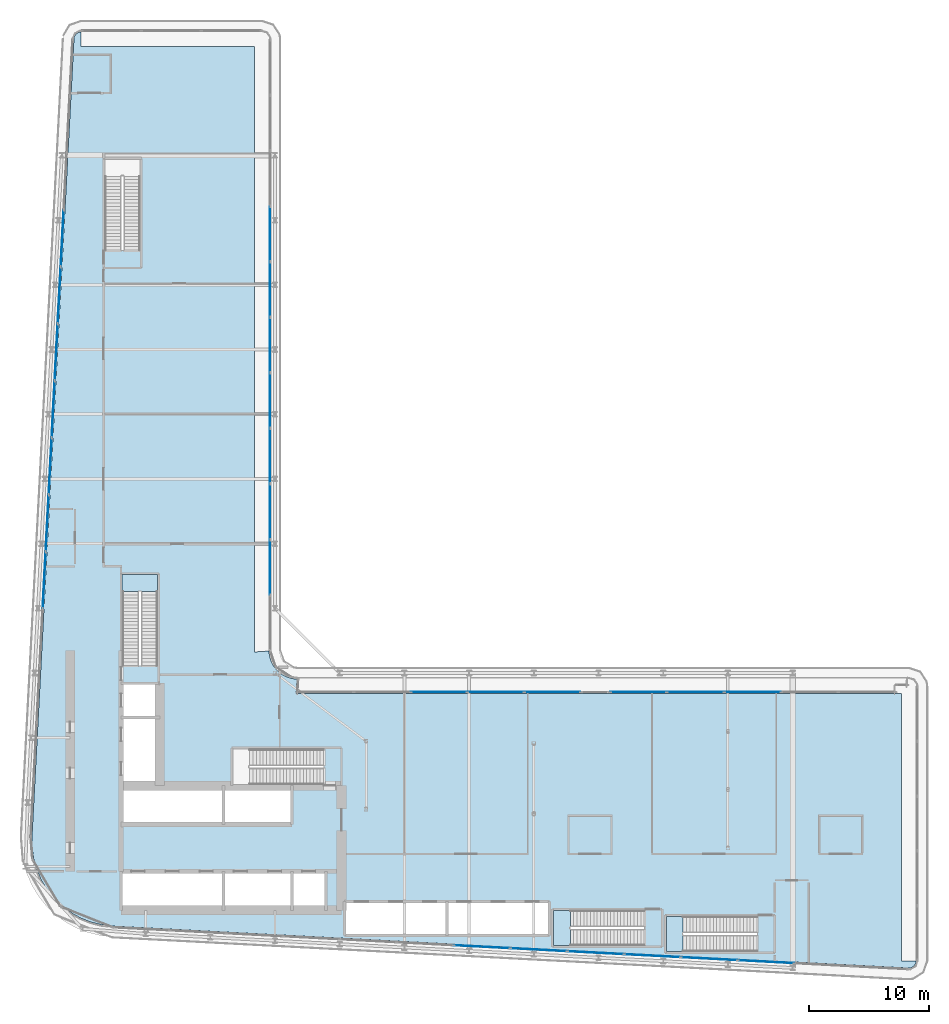
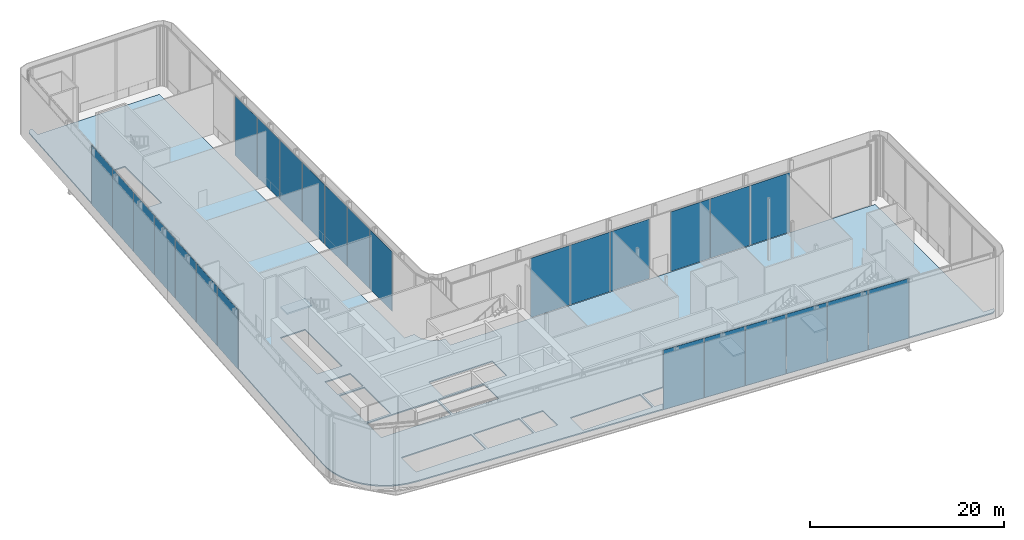
# One storey, part 23 of 37: 26 plates, 4 slabs, 8 elements without a shape of their own.
"""IFC4 building model written with IfcOpenShell, lengths in metres."""

from ifc_helpers import new_model, si_unit, direction, frame, origin, origin_2d, place, context, subcontext, project, spatial, polyline, rectangle, outline, extrude, material, layer, layer_set, type_object, element, aggregate, save


model = new_model("IFC4")

# Units and contexts
model_context = context("Model", 3, precision=1e-05, world=origin(), true_north=direction((0.0, 1.0)))
body_context = subcontext(model_context, "Body", "Model", "MODEL_VIEW")
ifc_project = project(units=[si_unit("LENGTHUNIT", "METRE"), si_unit("AREAUNIT", "SQUARE_METRE"), si_unit("VOLUMEUNIT", "CUBIC_METRE"), si_unit("PLANEANGLEUNIT", "RADIAN"), si_unit("MASSUNIT", "GRAM", prefix="KILO")], contexts=[model_context])

# Site, building, storey
site_placement = place(None, origin())
site = spatial("IfcSite", under=ifc_project, at=site_placement, CompositionType="ELEMENT")
building_placement = place(site_placement, origin())
building = spatial("IfcBuilding", under=site, at=building_placement, Name="Kheshtan School and Residences Tower", CompositionType="ELEMENT")
storey_placement = place(building_placement, frame((0.0, 0.0, 144.800048828125)))
storey = spatial("IfcBuildingStorey", under=building, at=storey_placement, Name="L34", CompositionType="ELEMENT", Elevation=144.800048828125)

# Curtain wall, plates
ifc_material_1 = material(Name="Clear low-e glass in thermally broken aluminium frame", Category="aluminium")
ifc_layer_1 = layer(ifc_material_1, 0.25)
ifc_layer_set_1 = layer_set([ifc_layer_1], Name="Curtain wall CW-G")
curtain_wall_type_1 = type_object("IfcCurtainWallType", Name="Curtain wall CW-G", PredefinedType="NOTDEFINED", material=ifc_layer_set_1)
curtain_wall_1_placement = place(storey_placement, origin())
curtain_wall_1 = element("IfcCurtainWall", 1, at=curtain_wall_1_placement, inside=storey, type_object=curtain_wall_type_1, Name="Curtain wall CWG5", PredefinedType="NOTDEFINED")
ifc_layer_2 = layer(ifc_material_1, 0.0380859375)
ifc_layer_set_2 = layer_set([ifc_layer_2], Name="CW-G glass panel")
plate_type_1 = type_object("IfcPlateType", Name="CW-G glass panel", PredefinedType="CURTAIN_PANEL", material=ifc_layer_set_2)
plate_1_placement = place(storey_placement, frame((61.280029296875, 44.0, 0.0), z_axis=(0.0, 0.0, 1.0), x_axis=(1.0, 0.0, 0.0)))
plate_1 = element("IfcPlate", 2, at=plate_1_placement, type_object=plate_type_1, Name="CWG5 panel 3.1", PredefinedType="CURTAIN_PANEL", context=body_context, shape_type="SweptSolid", body=[
    extrude(rectangle(XDim=4.679931640625, YDim=0.0380859375, at=origin_2d()), origin(), (0.0, 0.0, 1.0), 7.489990234375),
])
plate_2_placement = place(storey_placement, frame((66.02001953125, 44.0, 0.0), z_axis=(0.0, 0.0, 1.0), x_axis=(1.0, 0.0, 0.0)))
plate_2 = element("IfcPlate", 3, at=plate_2_placement, type_object=plate_type_1, Name="CWG5 panel 4.1", PredefinedType="CURTAIN_PANEL", context=body_context, shape_type="SweptSolid", body=[
    extrude(rectangle(XDim=4.679931640625, YDim=0.0380859375, at=origin_2d()), origin(), (0.0, 0.0, 1.0), 7.489990234375),
])
plate_3_placement = place(storey_placement, frame((70.7451171875, 44.0, 0.0), z_axis=(0.0, 0.0, 1.0), x_axis=(1.0, 0.0, 0.0)))
plate_3 = element("IfcPlate", 4, at=plate_3_placement, type_object=plate_type_1, Name="CWG5 panel 5.1", PredefinedType="CURTAIN_PANEL", context=body_context, shape_type="SweptSolid", body=[
    extrude(rectangle(XDim=4.64990234375, YDim=0.0380859375, at=origin_2d()), origin(), (0.0, 0.0, 1.0), 7.489990234375),
])
aggregate(curtain_wall_1, [plate_1, plate_2, plate_3])

curtain_wall_2_placement = place(storey_placement, origin())
curtain_wall_2 = element("IfcCurtainWall", 5, at=curtain_wall_2_placement, inside=storey, type_object=curtain_wall_type_1, Name="Curtain wall CWG5a", PredefinedType="NOTDEFINED")
plate_4_placement = place(storey_placement, frame((77.931884765625, 44.0, 0.0), z_axis=(0.0, 0.0, 1.0), x_axis=(1.0, 0.0, 0.0)))
plate_4 = element("IfcPlate", 6, at=plate_4_placement, type_object=plate_type_1, Name="CWG5a panel 1.1", PredefinedType="CURTAIN_PANEL", context=body_context, shape_type="SweptSolid", body=[
    extrude(rectangle(XDim=4.68408203125, YDim=0.0380859375, at=origin_2d()), origin(), (0.0, 0.0, 1.0), 7.489990234375),
])
plate_5_placement = place(storey_placement, frame((82.69091796875, 44.0, 0.0), z_axis=(0.0, 0.0, 1.0), x_axis=(1.0, 0.0, 0.0)))
plate_5 = element("IfcPlate", 7, at=plate_5_placement, type_object=plate_type_1, Name="CWG5a panel 2.1", PredefinedType="CURTAIN_PANEL", context=body_context, shape_type="SweptSolid", body=[
    extrude(rectangle(XDim=4.714111328125, YDim=0.0380859375, at=origin_2d()), origin(), (0.0, 0.0, 1.0), 7.489990234375),
])
plate_6_placement = place(storey_placement, frame((87.465087890625, 44.0, 0.0), z_axis=(0.0, 0.0, 1.0), x_axis=(1.0, 0.0, 0.0)))
plate_6 = element("IfcPlate", 8, at=plate_6_placement, type_object=plate_type_1, Name="CWG5a panel 3.1", PredefinedType="CURTAIN_PANEL", context=body_context, shape_type="SweptSolid", body=[
    extrude(rectangle(XDim=4.714111328125, YDim=0.0380859375, at=origin_2d()), origin(), (0.0, 0.0, 1.0), 7.489990234375),
])
aggregate(curtain_wall_2, [plate_4, plate_5, plate_6])

ifc_layer_3 = layer(ifc_material_1, 0.25)
ifc_layer_set_3 = layer_set([ifc_layer_3], Name="Curtain wall CW-K")
curtain_wall_type_2 = type_object("IfcCurtainWallType", Name="Curtain wall CW-K", PredefinedType="NOTDEFINED", material=ifc_layer_set_3)
curtain_wall_3_placement = place(storey_placement, origin())
curtain_wall_3 = element("IfcCurtainWall", 9, at=curtain_wall_3_placement, inside=storey, type_object=curtain_wall_type_2, Name="Curtain wall CWK14", PredefinedType="NOTDEFINED")
ifc_layer_4 = layer(ifc_material_1, 0.0380859375)
ifc_layer_set_4 = layer_set([ifc_layer_4], Name="CW-K glass panel")
plate_type_2 = type_object("IfcPlateType", Name="CW-K glass panel", PredefinedType="CURTAIN_PANEL", material=ifc_layer_set_4)
plate_7_placement = place(storey_placement, frame((88.58056640625, 21.507080078125, 0.0), z_axis=(0.0, 0.0, 1.0), x_axis=(-0.998617247391, 0.052569888839, 0.0)))
plate_7 = element("IfcPlate", 10, at=plate_7_placement, type_object=plate_type_2, Name="CWK14 panel 3.1", PredefinedType="CURTAIN_PANEL", context=body_context, shape_type="SweptSolid", body=[
    extrude(rectangle(XDim=4.6875, YDim=0.0380859375, at=origin_2d()), origin(), (0.0, 0.0, 1.0), 7.489990234375),
])
plate_8_placement = place(storey_placement, frame((83.83984375, 21.756591796875, 0.0), z_axis=(0.0, 0.0, 1.0), x_axis=(-0.998617247391, 0.052569888839, 0.0)))
plate_8 = element("IfcPlate", 11, at=plate_8_placement, type_object=plate_type_2, Name="CWK14 panel 4.1", PredefinedType="CURTAIN_PANEL", context=body_context, shape_type="SweptSolid", body=[
    extrude(rectangle(XDim=4.6875, YDim=0.0380859375, at=origin_2d()), origin(), (0.0, 0.0, 1.0), 7.489990234375),
])
plate_9_placement = place(storey_placement, frame((79.098876953125, 22.006103515625, 0.0), z_axis=(0.0, 0.0, 1.0), x_axis=(-0.998617247391, 0.052569888839, 0.0)))
plate_9 = element("IfcPlate", 12, at=plate_9_placement, type_object=plate_type_2, Name="CWK14 panel 5.1", PredefinedType="CURTAIN_PANEL", context=body_context, shape_type="SweptSolid", body=[
    extrude(rectangle(XDim=4.6875, YDim=0.0380859375, at=origin_2d()), origin(), (0.0, 0.0, 1.0), 7.489990234375),
])
plate_10_placement = place(storey_placement, frame((74.35791015625, 22.255859375, 0.0), z_axis=(0.0, 0.0, 1.0), x_axis=(-0.998617247391, 0.052569888839, 0.0)))
plate_10 = element("IfcPlate", 13, at=plate_10_placement, type_object=plate_type_2, Name="CWK14 panel 6.1", PredefinedType="CURTAIN_PANEL", context=body_context, shape_type="SweptSolid", body=[
    extrude(rectangle(XDim=4.6875, YDim=0.0380859375, at=origin_2d()), origin(), (0.0, 0.0, 1.0), 7.489990234375),
])
plate_11_placement = place(storey_placement, frame((69.6171875, 22.50537109375, 0.0), z_axis=(0.0, 0.0, 1.0), x_axis=(-0.998617247391, 0.052569888839, 0.0)))
plate_11 = element("IfcPlate", 14, at=plate_11_placement, type_object=plate_type_2, Name="CWK14 panel 7.1", PredefinedType="CURTAIN_PANEL", context=body_context, shape_type="SweptSolid", body=[
    extrude(rectangle(XDim=4.6875, YDim=0.0380859375, at=origin_2d()), origin(), (0.0, 0.0, 1.0), 7.489990234375),
])
plate_12_placement = place(storey_placement, frame((64.876220703125, 22.7548828125, 0.0), z_axis=(0.0, 0.0, 1.0), x_axis=(-0.998617247391, 0.052569888839, 0.0)))
plate_12 = element("IfcPlate", 15, at=plate_12_placement, type_object=plate_type_2, Name="CWK14 panel 8.1", PredefinedType="CURTAIN_PANEL", context=body_context, shape_type="SweptSolid", body=[
    extrude(rectangle(XDim=4.6875, YDim=0.0380859375, at=origin_2d()), origin(), (0.0, 0.0, 1.0), 7.489990234375),
])
aggregate(curtain_wall_3, [plate_7, plate_8, plate_9, plate_10, plate_11, plate_12])

curtain_wall_4_placement = place(storey_placement, origin())
curtain_wall_4 = element("IfcCurtainWall", 16, at=curtain_wall_4_placement, inside=storey, type_object=curtain_wall_type_2, Name="Curtain wall CWK18", PredefinedType="NOTDEFINED")
plate_13_placement = place(storey_placement, frame((28.345703125, 53.36083984375, 0.0), z_axis=(0.0, 0.0, 1.0), x_axis=(0.05256513568, 0.998617497599, 0.0)))
plate_13 = element("IfcPlate", 17, at=plate_13_placement, type_object=plate_type_2, Name="CWK18 panel 5.1", PredefinedType="CURTAIN_PANEL", context=body_context, shape_type="SweptSolid", body=[
    extrude(rectangle(XDim=4.69873046875, YDim=0.0380859375, at=origin_2d()), origin(), (0.0, 0.0, 1.0), 7.489990234375),
])
plate_14_placement = place(storey_placement, frame((28.595947265625, 58.113037109375, 0.0), z_axis=(0.0, 0.0, 1.0), x_axis=(0.05256513568, 0.998617497599, 0.0)))
plate_14 = element("IfcPlate", 18, at=plate_14_placement, type_object=plate_type_2, Name="CWK18 panel 6.1", PredefinedType="CURTAIN_PANEL", context=body_context, shape_type="SweptSolid", body=[
    extrude(rectangle(XDim=4.69873046875, YDim=0.0380859375, at=origin_2d()), origin(), (0.0, 0.0, 1.0), 7.489990234375),
])
plate_15_placement = place(storey_placement, frame((28.845947265625, 62.865234375, 0.0), z_axis=(0.0, 0.0, 1.0), x_axis=(0.05256513568, 0.998617497599, 0.0)))
plate_15 = element("IfcPlate", 19, at=plate_15_placement, type_object=plate_type_2, Name="CWK18 panel 7.1", PredefinedType="CURTAIN_PANEL", context=body_context, shape_type="SweptSolid", body=[
    extrude(rectangle(XDim=4.69873046875, YDim=0.0380859375, at=origin_2d()), origin(), (0.0, 0.0, 1.0), 7.489990234375),
])
plate_16_placement = place(storey_placement, frame((29.09619140625, 67.617431640625, 0.0), z_axis=(0.0, 0.0, 1.0), x_axis=(0.05256513568, 0.998617497599, 0.0)))
plate_16 = element("IfcPlate", 20, at=plate_16_placement, type_object=plate_type_2, Name="CWK18 panel 8.1", PredefinedType="CURTAIN_PANEL", context=body_context, shape_type="SweptSolid", body=[
    extrude(rectangle(XDim=4.69873046875, YDim=0.0380859375, at=origin_2d()), origin(), (0.0, 0.0, 1.0), 7.489990234375),
])
plate_17_placement = place(storey_placement, frame((29.346435546875, 72.369384765625, 0.0), z_axis=(0.0, 0.0, 1.0), x_axis=(0.05256513568, 0.998617497599, 0.0)))
plate_17 = element("IfcPlate", 21, at=plate_17_placement, type_object=plate_type_2, Name="CWK18 panel 9.1", PredefinedType="CURTAIN_PANEL", context=body_context, shape_type="SweptSolid", body=[
    extrude(rectangle(XDim=4.69873046875, YDim=0.0380859375, at=origin_2d()), origin(), (0.0, 0.0, 1.0), 7.489990234375),
])
plate_18_placement = place(storey_placement, frame((29.596435546875, 77.12158203125, 0.0), z_axis=(0.0, 0.0, 1.0), x_axis=(0.05256513568, 0.998617497599, 0.0)))
plate_18 = element("IfcPlate", 22, at=plate_18_placement, type_object=plate_type_2, Name="CWK18 panel 10.1", PredefinedType="CURTAIN_PANEL", context=body_context, shape_type="SweptSolid", body=[
    extrude(rectangle(XDim=4.69873046875, YDim=0.0380859375, at=origin_2d()), origin(), (0.0, 0.0, 1.0), 7.489990234375),
])
plate_19_placement = place(storey_placement, frame((29.8466796875, 81.873779296875, 0.0), z_axis=(0.0, 0.0, 1.0), x_axis=(0.05256513568, 0.998617497599, 0.0)))
plate_19 = element("IfcPlate", 23, at=plate_19_placement, type_object=plate_type_2, Name="CWK18 panel 11.1", PredefinedType="CURTAIN_PANEL", context=body_context, shape_type="SweptSolid", body=[
    extrude(rectangle(XDim=4.69873046875, YDim=0.0380859375, at=origin_2d()), origin(), (0.0, 0.0, 1.0), 7.489990234375),
])
aggregate(curtain_wall_4, [plate_13, plate_14, plate_15, plate_16, plate_17, plate_18, plate_19])

curtain_wall_5_placement = place(storey_placement, origin())
curtain_wall_5 = element("IfcCurtainWall", 24, at=curtain_wall_5_placement, inside=storey, type_object=curtain_wall_type_2, Name="Curtain wall CWK24", PredefinedType="NOTDEFINED")
plate_20_placement = place(storey_placement, frame((47.199951171875, 82.242431640625, 0.0), z_axis=(0.0, 0.0, 1.0), x_axis=(0.0, -1.0, 0.0)))
plate_20 = element("IfcPlate", 25, at=plate_20_placement, type_object=plate_type_2, Name="CWK24 panel 4.1", PredefinedType="CURTAIN_PANEL", context=body_context, shape_type="SweptSolid", body=[
    extrude(rectangle(XDim=4.576416015625, YDim=0.0380859375, at=origin_2d()), origin(), (0.0, 0.0, 1.0), 7.489990234375),
])
plate_21_placement = place(storey_placement, frame((47.199951171875, 77.60595703125, 0.0), z_axis=(0.0, 0.0, 1.0), x_axis=(0.0, -1.0, 0.0)))
plate_21 = element("IfcPlate", 26, at=plate_21_placement, type_object=plate_type_2, Name="CWK24 panel 5.1", PredefinedType="CURTAIN_PANEL", context=body_context, shape_type="SweptSolid", body=[
    extrude(rectangle(XDim=4.576416015625, YDim=0.0380859375, at=origin_2d()), origin(), (0.0, 0.0, 1.0), 7.489990234375),
])
plate_22_placement = place(storey_placement, frame((47.199951171875, 72.969482421875, 0.0), z_axis=(0.0, 0.0, 1.0), x_axis=(0.0, -1.0, 0.0)))
plate_22 = element("IfcPlate", 27, at=plate_22_placement, type_object=plate_type_2, Name="CWK24 panel 6.1", PredefinedType="CURTAIN_PANEL", context=body_context, shape_type="SweptSolid", body=[
    extrude(rectangle(XDim=4.576416015625, YDim=0.0380859375, at=origin_2d()), origin(), (0.0, 0.0, 1.0), 7.489990234375),
])
plate_23_placement = place(storey_placement, frame((47.199951171875, 68.3330078125, 0.0), z_axis=(0.0, 0.0, 1.0), x_axis=(0.0, -1.0, 0.0)))
plate_23 = element("IfcPlate", 28, at=plate_23_placement, type_object=plate_type_2, Name="CWK24 panel 7.1", PredefinedType="CURTAIN_PANEL", context=body_context, shape_type="SweptSolid", body=[
    extrude(rectangle(XDim=4.576416015625, YDim=0.0380859375, at=origin_2d()), origin(), (0.0, 0.0, 1.0), 7.489990234375),
])
plate_24_placement = place(storey_placement, frame((47.199951171875, 63.696533203125, 0.0), z_axis=(0.0, 0.0, 1.0), x_axis=(0.0, -1.0, 0.0)))
plate_24 = element("IfcPlate", 29, at=plate_24_placement, type_object=plate_type_2, Name="CWK24 panel 8.1", PredefinedType="CURTAIN_PANEL", context=body_context, shape_type="SweptSolid", body=[
    extrude(rectangle(XDim=4.576416015625, YDim=0.0380859375, at=origin_2d()), origin(), (0.0, 0.0, 1.0), 7.489990234375),
])
plate_25_placement = place(storey_placement, frame((47.199951171875, 59.06005859375, 0.0), z_axis=(0.0, 0.0, 1.0), x_axis=(0.0, -1.0, 0.0)))
plate_25 = element("IfcPlate", 30, at=plate_25_placement, type_object=plate_type_2, Name="CWK24 panel 9.1", PredefinedType="CURTAIN_PANEL", context=body_context, shape_type="SweptSolid", body=[
    extrude(rectangle(XDim=4.576416015625, YDim=0.0380859375, at=origin_2d()), origin(), (0.0, 0.0, 1.0), 7.489990234375),
])
plate_26_placement = place(storey_placement, frame((47.199951171875, 54.423583984375, 0.0), z_axis=(0.0, 0.0, 1.0), x_axis=(0.0, -1.0, 0.0)))
plate_26 = element("IfcPlate", 31, at=plate_26_placement, type_object=plate_type_2, Name="CWK24 panel 10.1", PredefinedType="CURTAIN_PANEL", context=body_context, shape_type="SweptSolid", body=[
    extrude(rectangle(XDim=4.576416015625, YDim=0.0380859375, at=origin_2d()), origin(), (0.0, 0.0, 1.0), 7.489990234375),
])
aggregate(curtain_wall_5, [plate_20, plate_21, plate_22, plate_23, plate_24, plate_25, plate_26])

# Slab
ifc_material_2 = material(Name="Concrete C40/50", Category="concrete")
ifc_layer_5 = layer(ifc_material_2, 0.14990234375)
ifc_layer_set_5 = layer_set([ifc_layer_5], Name="Floor slab 150 Concrete C40/50")
slab_type_1 = type_object("IfcSlabType", Name="Floor slab 150 Concrete C40/50", PredefinedType="FLOOR", material=ifc_layer_set_5)
slab_1_placement = place(storey_placement, frame((0.0, 0.0, -0.150146484375)))
element("IfcSlab", 32, at=slab_1_placement, inside=storey, type_object=slab_type_1, Name="Floor slab L34", PredefinedType="FLOOR", context=body_context, shape_type="SweptSolid", body=[
    extrude(outline(polyline([(30.931884765625, 98.840087890625), (30.98291015625, 98.904052734375), (31.04296875, 98.9619140625), (31.10693359375, 99.008056640625), (31.18310546875, 99.047119140625), (31.260986328125, 99.074951171875), (31.341064453125, 99.092041015625), (31.423095703125, 99.097900390625), (31.423095703125, 97.902099609375), (31.423095703125, 97.90087890625), (31.424072265625, 97.89990234375), (31.425048828125, 97.89990234375), (45.85009765625, 97.89990234375), (45.85498046875, 97.89990234375), (45.860107421875, 97.89892578125), (45.864990234375, 97.89794921875), (45.868896484375, 97.89599609375), (45.8740234375, 97.89404296875), (45.8779296875, 97.89208984375), (45.882080078125, 97.888916015625), (45.885009765625, 97.885009765625), (45.888916015625, 97.882080078125), (45.89208984375, 97.8779296875), (45.89404296875, 97.8740234375), (45.89599609375, 97.868896484375), (45.89794921875, 97.864990234375), (45.89892578125, 97.860107421875), (45.89990234375, 97.85498046875), (45.89990234375, 97.85009765625), (45.89990234375, 47.501953125), (45.89990234375, 47.5009765625), (45.90087890625, 47.5), (45.89990234375, 47.5), (45.89990234375, 47.429931640625), (45.905029296875, 47.361083984375), (47.10205078125, 47.43994140625), (47.118896484375, 47.18603515625), (47.179931640625, 46.87890625), (47.281005859375, 46.5810546875), (47.419921875, 46.299072265625), (47.593994140625, 46.0390625), (47.801025390625, 45.801025390625), (48.0390625, 45.593994140625), (48.299072265625, 45.419921875), (48.5810546875, 45.281005859375), (48.87890625, 45.179931640625), (49.18603515625, 45.118896484375), (49.43994140625, 45.10205078125), (49.361083984375, 43.905029296875), (49.429931640625, 43.89990234375), (49.5009765625, 43.89990234375), (49.501953125, 43.89990234375), (99.39990234375, 43.89990234375), (99.85009765625, 43.89990234375), (99.85498046875, 43.89990234375), (99.860107421875, 43.89892578125), (99.864990234375, 43.89794921875), (99.868896484375, 43.89599609375), (99.8740234375, 43.89404296875), (99.8779296875, 43.89208984375), (99.882080078125, 43.888916015625), (99.885009765625, 43.885009765625), (99.888916015625, 43.882080078125), (99.89208984375, 43.8779296875), (99.89404296875, 43.8740234375), (99.89599609375, 43.868896484375), (99.89794921875, 43.864990234375), (99.89892578125, 43.860107421875), (99.89990234375, 43.85498046875), (99.89990234375, 43.85009765625), (99.89990234375, 21.5830078125), (99.89990234375, 21.58203125), (99.90087890625, 21.5810546875), (99.902099609375, 21.5810546875), (101.097900390625, 21.5810546875), (101.092041015625, 21.5009765625), (101.075927734375, 21.4208984375), (101.049072265625, 21.343017578125), (101.011962890625, 21.27099609375), (100.968017578125, 21.2080078125), (100.912109375, 21.14794921875), (100.847900390625, 21.094970703125), (100.781005859375, 21.052978515625), (100.708984375, 21.02099609375), (100.6279296875, 20.9970703125), (100.548095703125, 20.985107421875), (100.444091796875, 20.98291015625), (100.43798828125, 20.98291015625), (34.056884765625, 24.47802734375), (33.114990234375, 24.590087890625), (32.215087890625, 24.819091796875), (31.35205078125, 25.1630859375), (30.541015625, 25.616943359375), (29.798095703125, 26.172119140625), (29.134033203125, 26.820068359375), (28.55908203125, 27.550048828125), (28.0849609375, 28.345947265625), (27.718017578125, 29.200927734375), (27.466064453125, 30.093994140625), (27.3330078125, 31.013916015625), (27.320068359375, 31.965087890625), (27.320068359375, 31.970947265625), (30.822021484375, 98.5009765625), (30.822998046875, 98.508056640625), (30.8359375, 98.613037109375), (30.85693359375, 98.69189453125), (30.888916015625, 98.77001953125), (30.931884765625, 98.840087890625)]), holes=[polyline([(34.875, 28.925048828125), (34.875, 25.925048828125), (43.175048828125, 25.925048828125), (43.175048828125, 28.925048828125), (34.875, 28.925048828125)]), polyline([(43.425048828125, 25.925048828125), (48.875, 25.925048828125), (48.875, 28.925048828125), (43.425048828125, 28.925048828125), (43.425048828125, 25.925048828125)]), polyline([(43.175048828125, 36.074951171875), (34.875, 36.074951171875), (34.875, 33.074951171875), (43.175048828125, 33.074951171875), (43.175048828125, 36.074951171875)]), polyline([(34.875, 41.77490234375), (34.875, 36.324951171875), (37.875, 36.324951171875), (37.875, 41.77490234375), (34.875, 41.77490234375)]), polyline([(34.875, 44.625), (34.875, 42.02490234375), (37.875, 42.02490234375), (37.875, 44.625), (34.875, 44.625)]), polyline([(37.800048828125, 46.25), (37.800048828125, 53.81005859375), (34.85009765625, 53.81005859375), (34.85009765625, 46.260009765625), (36.25, 46.260009765625), (36.25, 46.25), (37.800048828125, 46.25)]), polyline([(33.39990234375, 88.4599609375), (33.39990234375, 80.909912109375), (34.800048828125, 80.909912109375), (34.800048828125, 80.89990234375), (36.35009765625, 80.89990234375), (36.35009765625, 88.4599609375), (33.39990234375, 88.4599609375)]), polyline([(87.81005859375, 22.35009765625), (87.81005859375, 23.75), (87.820068359375, 23.75), (87.820068359375, 25.300048828125), (80.260009765625, 25.300048828125), (80.260009765625, 22.35009765625), (87.81005859375, 22.35009765625)]), polyline([(70.85009765625, 22.85009765625), (78.39990234375, 22.85009765625), (78.39990234375, 24.25), (78.409912109375, 24.25), (78.409912109375, 25.800048828125), (70.85009765625, 25.800048828125), (70.85009765625, 22.85009765625)]), polyline([(61.824951171875, 26.425048828125), (53.52490234375, 26.425048828125), (53.52490234375, 23.824951171875), (61.824951171875, 23.824951171875), (61.824951171875, 26.425048828125)]), polyline([(62.074951171875, 23.824951171875), (70.375, 23.824951171875), (70.375, 26.425048828125), (62.074951171875, 26.425048828125), (62.074951171875, 23.824951171875)]), polyline([(49.125, 28.925048828125), (49.125, 25.925048828125), (51.72509765625, 25.925048828125), (51.72509765625, 28.925048828125), (49.125, 28.925048828125)]), polyline([(43.425048828125, 33.074951171875), (48.875, 33.074951171875), (48.875, 36.074951171875), (43.425048828125, 36.074951171875), (43.425048828125, 33.074951171875)]), polyline([(51.64990234375, 39.25), (44.090087890625, 39.25), (44.090087890625, 36.300048828125), (51.639892578125, 36.300048828125), (51.639892578125, 37.699951171875), (51.64990234375, 37.699951171875), (51.64990234375, 39.25)])]), origin(), (0.0, 0.0, 1.0), 0.150146484375),
])

# Stair, slab
stair_type = type_object("IfcStairType", Name="Exit stair, half-turn", PredefinedType="HALF_TURN_STAIR", material=ifc_material_2)
stair_1_placement = place(storey_placement, origin())
stair_1 = element("IfcStair", 33, at=stair_1_placement, inside=storey, type_object=stair_type, Name="L34 Protected Exit Stair ST2", PredefinedType="HALF_TURN_STAIR")
ifc_layer_6 = layer(ifc_material_2, 0.199951171875)
ifc_layer_set_6 = layer_set([ifc_layer_6], Name="Stair landing 200 Concrete C40/50")
slab_type_2 = type_object("IfcSlabType", Name="Stair landing 200 Concrete C40/50", PredefinedType="LANDING", material=ifc_layer_set_6)
slab_2_placement = place(storey_placement, frame((0.0, 0.0, 3.699951171875)))
slab_2 = element("IfcSlab", 34, at=slab_2_placement, type_object=slab_type_2, Name="ST2 landing 1", PredefinedType="LANDING", context=body_context, shape_type="SweptSolid", body=[
    extrude(outline(polyline([(37.800048828125, 52.409912109375), (37.800048828125, 53.81005859375), (34.85009765625, 53.81005859375), (34.85009765625, 52.409912109375), (37.800048828125, 52.409912109375)])), origin(), (0.0, 0.0, 1.0), 0.199951171875),
])
aggregate(stair_1, [slab_2])

stair_2_placement = place(storey_placement, origin())
stair_2 = element("IfcStair", 35, at=stair_2_placement, inside=storey, type_object=stair_type, Name="L34 Protected Exit Stair ST4", PredefinedType="HALF_TURN_STAIR")
slab_3_placement = place(storey_placement, frame((0.0, 0.0, 3.699951171875)))
slab_3 = element("IfcSlab", 36, at=slab_3_placement, type_object=slab_type_2, Name="ST4 landing 1", PredefinedType="LANDING", context=body_context, shape_type="SweptSolid", body=[
    extrude(outline(polyline([(81.659912109375, 25.300048828125), (80.260009765625, 25.300048828125), (80.260009765625, 22.35009765625), (81.659912109375, 22.35009765625), (81.659912109375, 25.300048828125)])), origin(), (0.0, 0.0, 1.0), 0.199951171875),
])
aggregate(stair_2, [slab_3])

stair_3_placement = place(storey_placement, origin())
stair_3 = element("IfcStair", 37, at=stair_3_placement, inside=storey, type_object=stair_type, Name="L34 Protected Exit Stair ST5", PredefinedType="HALF_TURN_STAIR")
slab_4_placement = place(storey_placement, frame((0.0, 0.0, 3.699951171875)))
slab_4 = element("IfcSlab", 38, at=slab_4_placement, type_object=slab_type_2, Name="ST5 landing 1", PredefinedType="LANDING", context=body_context, shape_type="SweptSolid", body=[
    extrude(outline(polyline([(72.25, 25.800048828125), (70.85009765625, 25.800048828125), (70.85009765625, 22.85009765625), (72.25, 22.85009765625), (72.25, 25.800048828125)])), origin(), (0.0, 0.0, 1.0), 0.199951171875),
])
aggregate(stair_3, [slab_4])

save(model, "model.ifc")
